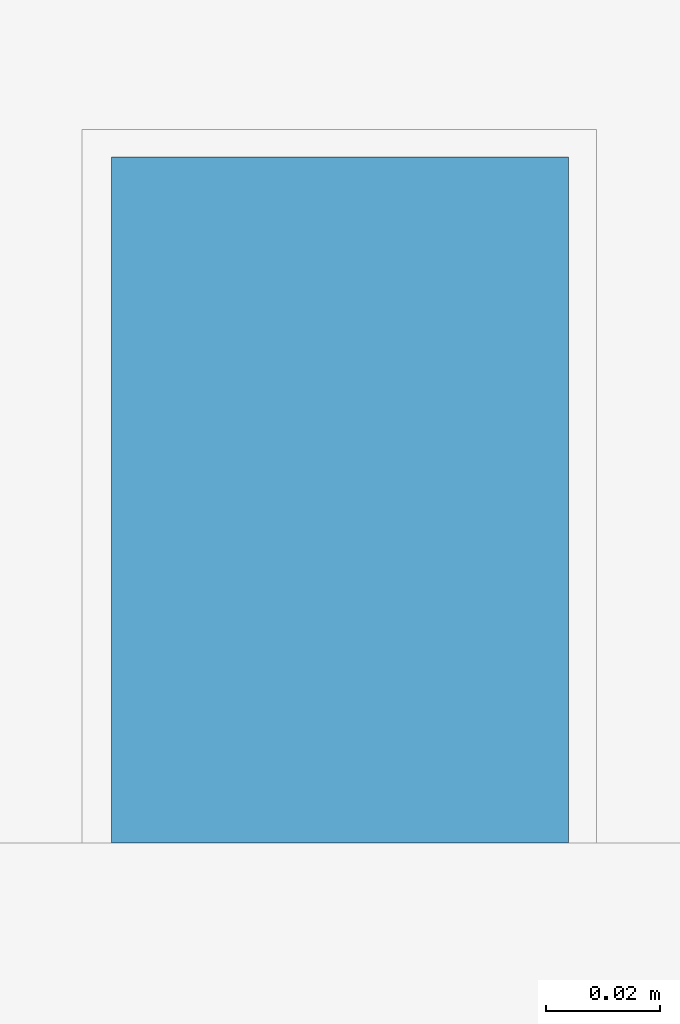
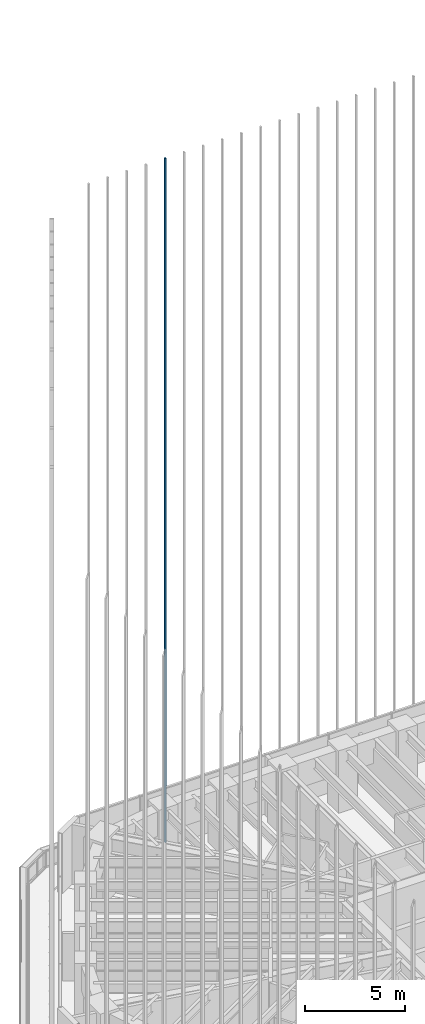
# One storey, part 71 of 127: 1 member, 1 element without a shape of its own.
"""IFC4 building model written with IfcOpenShell, lengths in metres."""

from ifc_helpers import new_model, si_unit, direction, frame, origin, origin_2d, place, context, subcontext, project, spatial, rectangle, extrude, material, material_profile, profile_set, type_object, element, aggregate, save


model = new_model("IFC4")

# Units and contexts
model_context = context("Model", 3, precision=1e-05, world=origin(), true_north=direction((0.0, 1.0)))
body_context = subcontext(model_context, "Body", "Model", "MODEL_VIEW")
ifc_project = project(units=[si_unit("LENGTHUNIT", "METRE"), si_unit("AREAUNIT", "SQUARE_METRE"), si_unit("VOLUMEUNIT", "CUBIC_METRE"), si_unit("PLANEANGLEUNIT", "RADIAN"), si_unit("MASSUNIT", "GRAM", prefix="KILO")], contexts=[model_context])

# Site, building, storey
site_placement = place(None, origin())
site = spatial("IfcSite", under=ifc_project, at=site_placement, CompositionType="ELEMENT")
building_placement = place(site_placement, origin())
building = spatial("IfcBuilding", under=site, at=building_placement, Name="Sandreach Pilgrim Tower", CompositionType="ELEMENT")
storey_placement = place(building_placement, frame((0.0, 0.0, 257.0)))
storey = spatial("IfcBuildingStorey", under=building, at=storey_placement, Name="L64", CompositionType="ELEMENT", Elevation=257.0)

# Curtain wall, member
ifc_material_1 = material(Name="Aluminium framed curtain wall", Category="aluminium")
curtain_wall_type = type_object("IfcCurtainWallType", Name="Suite tower curtain wall", PredefinedType="NOTDEFINED", material=ifc_material_1)
curtain_wall_placement = place(storey_placement, origin())
curtain_wall = element("IfcCurtainWall", 1, at=curtain_wall_placement, inside=storey, type_object=curtain_wall_type, Name="CW-4 L64 N", PredefinedType="NOTDEFINED")
ifc_material_2 = material(Name="Extruded terracotta on aluminium core", Category="masonry")
ifc_material_profile = material_profile(ifc_material_2, rectangle(XDim=0.080078125, YDim=0.1201171875, at=origin_2d()), Name="TBN 80X120")
ifc_profile_set = profile_set([ifc_material_profile], Name="Extruded terracotta on aluminium core")
member_type = type_object("IfcMemberType", Name="Terracotta baguette north", PredefinedType="USERDEFINED", material=ifc_profile_set)
member_placement = place(storey_placement, frame((-11.004150390625, 20.1865234375, 0.0), z_axis=(0.0, 0.0, 1.0), x_axis=(1.0, 0.0, 0.0)))
member = element("IfcMember", 2, at=member_placement, type_object=member_type, Name="Baguette Z4 N05", ObjectType="BAGUETTE", PredefinedType="USERDEFINED", context=body_context, shape_type="SweptSolid", body=[
    extrude(rectangle(XDim=0.080078125, YDim=0.1201171875, at=origin_2d()), origin(), (0.0, 0.0, 1.0), 41.639892578125),
])
aggregate(curtain_wall, [member])

save(model, "model.ifc")
